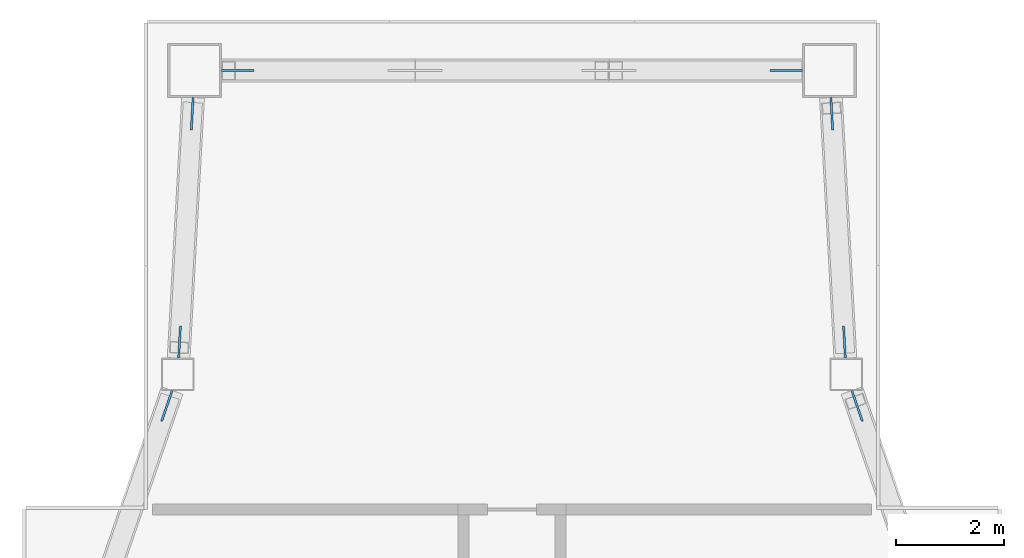
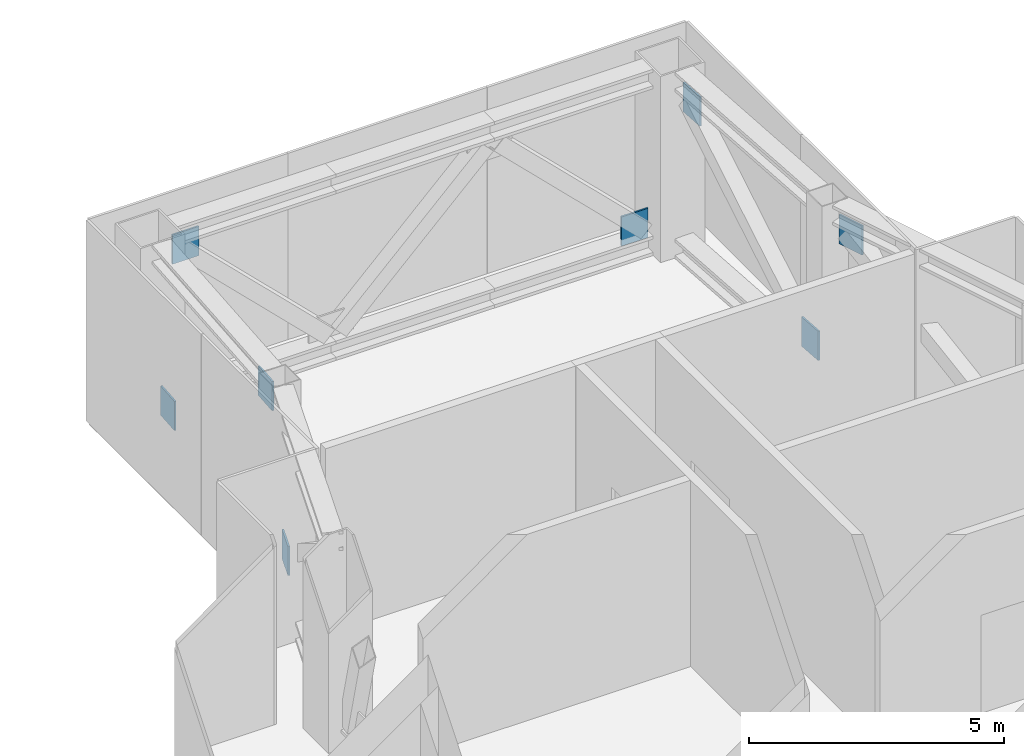
# One storey, part 16 of 18: 8 discrete accessories.
"""IFC4 building model written with IfcOpenShell, lengths in metres."""

from ifc_helpers import new_model, si_unit, direction, frame, origin, origin_2d, place, context, subcontext, project, spatial, rectangle, extrude, material, layer, layer_set, type_object, element, save


model = new_model("IFC4")

# Units and contexts
model_context = context("Model", 3, precision=1e-05, world=origin(), true_north=direction((0.0, 1.0)))
body_context = subcontext(model_context, "Body", "Model", "MODEL_VIEW")
ifc_project = project(units=[si_unit("LENGTHUNIT", "METRE"), si_unit("AREAUNIT", "SQUARE_METRE"), si_unit("VOLUMEUNIT", "CUBIC_METRE"), si_unit("PLANEANGLEUNIT", "RADIAN"), si_unit("MASSUNIT", "GRAM", prefix="KILO")], contexts=[model_context])

# Site, building, storey
site_placement = place(None, origin())
site = spatial("IfcSite", under=ifc_project, at=site_placement, CompositionType="ELEMENT")
building_placement = place(site_placement, origin())
building = spatial("IfcBuilding", under=site, at=building_placement, Name="Shamsa Quay Exchange Towers", CompositionType="ELEMENT")
storey_placement = place(building_placement, frame((0.0, 0.0, 225.60009765625)))
storey = spatial("IfcBuildingStorey", under=building, at=storey_placement, Name="L54", CompositionType="ELEMENT", Elevation=225.60009765625)

# Discrete accessories
ifc_material = material(Name="Steel S355", Category="steel")
ifc_layer = layer(ifc_material, 0.0400390625)
ifc_layer_set = layer_set([ifc_layer], Name="End plate 600x700x40")
discrete_accessory_type = type_object("IfcDiscreteAccessoryType", Name="End plate 600x700x40", PredefinedType="BRACKET", material=ifc_layer_set)
for number, where, z_axis, x_axis, name in (
    (1, (40.138427734375, 13.166259765625, 3.43505859375), (0.0, 0.0, 1.0), (-0.325666906351, 0.945484566827, 0.0), "End plate T2 L54"),
    (2, (39.904296875, 14.349609375, 0.31494140625), (0.0, 0.0, 1.0), (-0.055470019625, 0.998460353205, 0.0), "End plate T2 L54"),
    (3, (39.66943359375, 18.575439453125, 3.43505859375), (0.0, 0.0, 1.0), (-0.055470019625, 0.998460353205, 0.0), "End plate T2 L54"),
    (4, (38.824951171875, 19.375, 0.31494140625), (0.0, 0.0, 1.0), (-1.0, 0.0, 0.0), "End plate T2 L54"),
    (5, (28.675048828125, 19.375, 3.43505859375), (0.0, 0.0, 1.0), (-1.0, 0.0, 0.0), "End plate T2 L54"),
    (6, (27.83056640625, 18.575439453125, 0.31494140625), (0.0, 0.0, 1.0), (-0.055470019625, -0.998460353205, 0.0), "End plate T2 L54"),
    (7, (27.595703125, 14.349609375, 3.43505859375), (0.0, 0.0, 1.0), (-0.055470019625, -0.998460353205, 0.0), "End plate T2 L54"),
    (8, (27.361572265625, 13.166259765625, 0.31494140625), (0.0, 0.0, 1.0), (-0.325666906351, -0.945484566827, 0.0), "End plate T2 L54"),
):
    element("IfcDiscreteAccessory", number, at=place(storey_placement, frame(where, z_axis=z_axis, x_axis=x_axis)), inside=storey, type_object=discrete_accessory_type, Name=name, PredefinedType="BRACKET", context=body_context, shape_type="SweptSolid", body=[
        extrude(rectangle(XDim=0.60009765625, YDim=0.0400390625, at=origin_2d()), origin(), (0.0, 0.0, 1.0), 0.699951171875),
    ])

save(model, "model.ifc")
